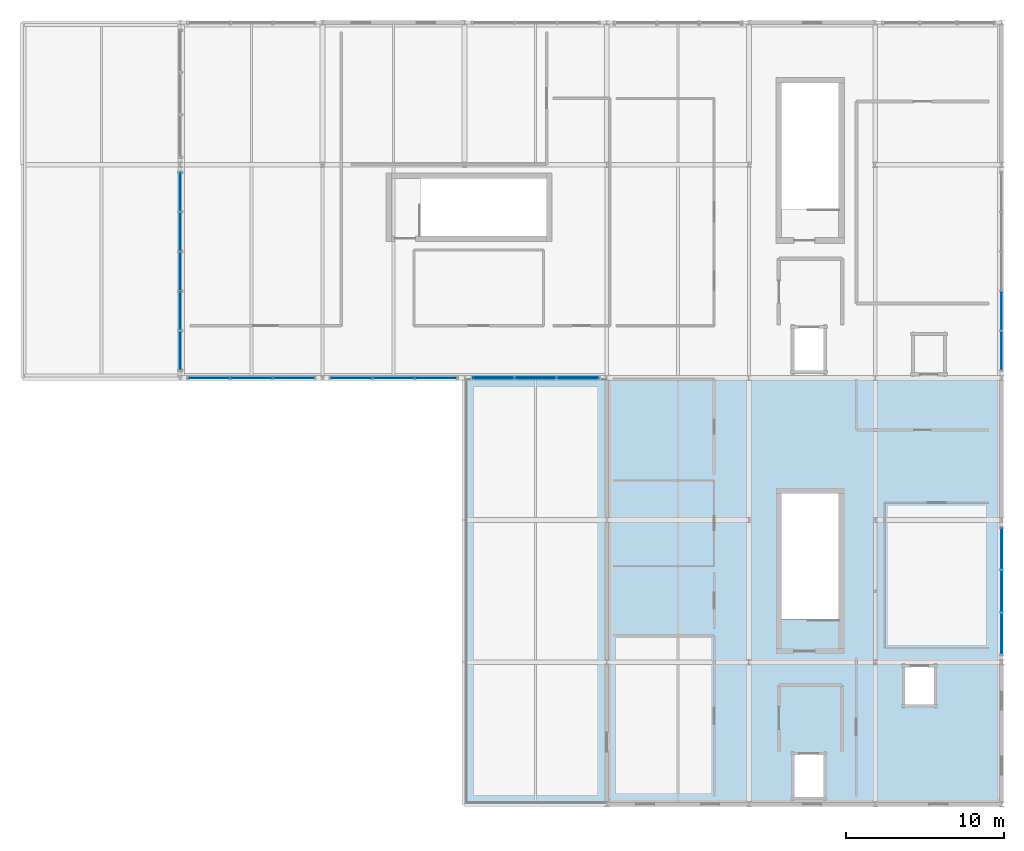
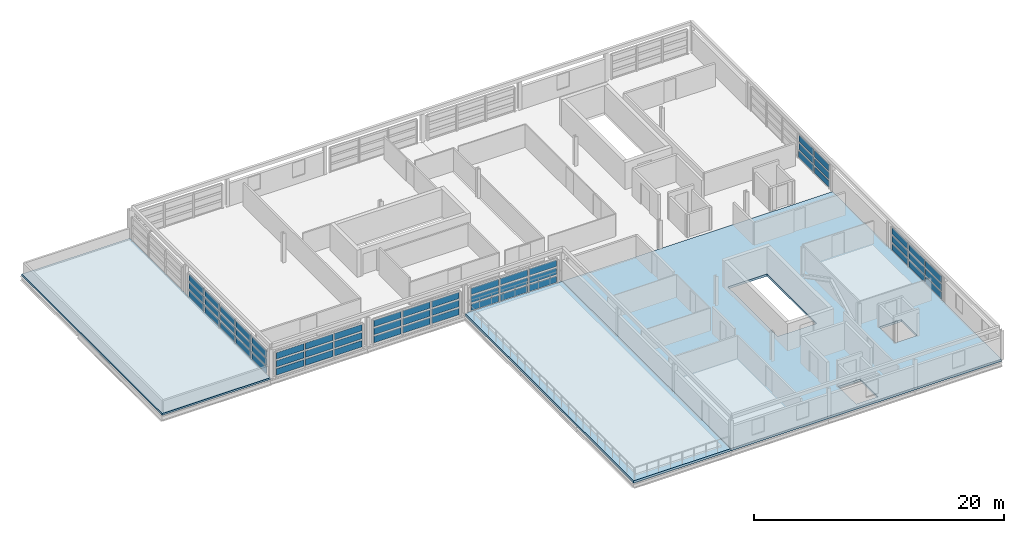
# One storey, part 22 of 27: 57 plates, 3 slabs, 6 elements without a shape of their own.
"""IFC4 building model written with IfcOpenShell, lengths in metres."""

from ifc_helpers import new_model, si_unit, direction, frame, origin, origin_2d, place, context, subcontext, project, spatial, polyline, rectangle, outline, extrude, material, layer, layer_set, type_object, element, aggregate, save


model = new_model("IFC4")

# Units and contexts
model_context = context("Model", 3, precision=1e-05, world=origin(), true_north=direction((0.0, 1.0)))
body_context = subcontext(model_context, "Body", "Model", "MODEL_VIEW")
ifc_project = project(units=[si_unit("LENGTHUNIT", "METRE"), si_unit("AREAUNIT", "SQUARE_METRE"), si_unit("VOLUMEUNIT", "CUBIC_METRE"), si_unit("PLANEANGLEUNIT", "RADIAN"), si_unit("MASSUNIT", "GRAM", prefix="KILO")], contexts=[model_context])

# Site, building, storey
site_placement = place(None, origin())
site = spatial("IfcSite", under=ifc_project, at=site_placement, CompositionType="ELEMENT")
building_placement = place(site_placement, origin())
building = spatial("IfcBuilding", under=site, at=building_placement, Name="Chuanluo Vaults Station", CompositionType="ELEMENT")
storey_placement = place(building_placement, frame((0.0, 0.0, 20.800048828125)))
storey = spatial("IfcBuildingStorey", under=building, at=storey_placement, Name="L05", CompositionType="ELEMENT", Elevation=20.800048828125)

# Curtain wall, plates
ifc_material_1 = material(Name="Anodised aluminium 6063-T6", Category="aluminium")
curtain_wall_type_1 = type_object("IfcCurtainWallType", Name="CW-SYS-23", PredefinedType="NOTDEFINED", material=ifc_material_1)
curtain_wall_1_placement = place(storey_placement, origin())
curtain_wall_1 = element("IfcCurtainWall", 1, at=curtain_wall_1_placement, inside=storey, type_object=curtain_wall_type_1, Name="Operations L05 facade CW", PredefinedType="NOTDEFINED")
ifc_material_2 = material(Name="Ceramic-fritted spandrel glass", Category="glass")
ifc_layer_1 = layer(ifc_material_2, 0.06396484375)
ifc_layer_set_1 = layer_set([ifc_layer_1], Name="Ceramic-fritted spandrel glass")
plate_type_1 = type_object("IfcPlateType", Name="CWP-SPN-42", PredefinedType="SHEET", material=ifc_layer_set_1)
plate_1_placement = place(storey_placement, frame((152.183349609375, 103.5, 0.080078125), z_axis=(0.0, 0.0, 1.0), x_axis=(-1.0, 0.0, 0.0)))
plate_1 = element("IfcPlate", 2, at=plate_1_placement, type_object=plate_type_1, Name="Operations L05 facade CW glazed panel 1.1", PredefinedType="SHEET", context=body_context, shape_type="SweptSolid", body=[
    extrude(rectangle(XDim=2.523193359375, YDim=0.06396484375, at=origin_2d()), origin(), (0.0, 0.0, 1.0), 0.623291015625),
])
plate_2_placement = place(storey_placement, frame((149.5, 103.5, 0.080078125), z_axis=(0.0, 0.0, 1.0), x_axis=(-1.0, 0.0, 0.0)))
plate_2 = element("IfcPlate", 3, at=plate_2_placement, type_object=plate_type_1, Name="Operations L05 facade CW glazed panel 2.1", PredefinedType="SHEET", context=body_context, shape_type="SweptSolid", body=[
    extrude(rectangle(XDim=2.523193359375, YDim=0.06396484375, at=origin_2d()), origin(), (0.0, 0.0, 1.0), 0.623291015625),
])
plate_3_placement = place(storey_placement, frame((146.816650390625, 103.5, 0.080078125), z_axis=(0.0, 0.0, 1.0), x_axis=(-1.0, 0.0, 0.0)))
plate_3 = element("IfcPlate", 4, at=plate_3_placement, type_object=plate_type_1, Name="Operations L05 facade CW glazed panel 3.1", PredefinedType="SHEET", context=body_context, shape_type="SweptSolid", body=[
    extrude(rectangle(XDim=2.523193359375, YDim=0.06396484375, at=origin_2d()), origin(), (0.0, 0.0, 1.0), 0.623291015625),
])

ifc_material_3 = material(Name="Anodised aluminium 6063-T6", Category="aluminium")
curtain_wall_type_2 = type_object("IfcCurtainWallType", Name="CW-SYS-25", PredefinedType="NOTDEFINED", material=ifc_material_3)
curtain_wall_2_placement = place(storey_placement, origin())
curtain_wall_2 = element("IfcCurtainWall", 5, at=curtain_wall_2_placement, inside=storey, type_object=curtain_wall_type_2, Name="Operations L05 facade CW", PredefinedType="NOTDEFINED")
plate_4_placement = place(storey_placement, frame((136.0, 105.22998046875, 0.080078125), z_axis=(0.0, 0.0, 1.0), x_axis=(0.0, 1.0, 0.0)))
plate_4 = element("IfcPlate", 6, at=plate_4_placement, type_object=plate_type_1, Name="Operations L05 facade CW glazed panel 1.1", PredefinedType="SHEET", context=body_context, shape_type="SweptSolid", body=[
    extrude(rectangle(XDim=2.35009765625, YDim=0.06396484375, at=origin_2d()), origin(), (0.0, 0.0, 1.0), 0.623291015625),
])
plate_5_placement = place(storey_placement, frame((136.0, 107.739990234375, 0.080078125), z_axis=(0.0, 0.0, 1.0), x_axis=(0.0, 1.0, 0.0)))
plate_5 = element("IfcPlate", 7, at=plate_5_placement, type_object=plate_type_1, Name="Operations L05 facade CW glazed panel 2.1", PredefinedType="SHEET", context=body_context, shape_type="SweptSolid", body=[
    extrude(rectangle(XDim=2.35009765625, YDim=0.06396484375, at=origin_2d()), origin(), (0.0, 0.0, 1.0), 0.623291015625),
])
plate_6_placement = place(storey_placement, frame((136.0, 110.25, 0.080078125), z_axis=(0.0, 0.0, 1.0), x_axis=(0.0, 1.0, 0.0)))
plate_6 = element("IfcPlate", 8, at=plate_6_placement, type_object=plate_type_1, Name="Operations L05 facade CW glazed panel 3.1", PredefinedType="SHEET", context=body_context, shape_type="SweptSolid", body=[
    extrude(rectangle(XDim=2.35009765625, YDim=0.06396484375, at=origin_2d()), origin(), (0.0, 0.0, 1.0), 0.623291015625),
])
plate_7_placement = place(storey_placement, frame((136.0, 112.760009765625, 0.080078125), z_axis=(0.0, 0.0, 1.0), x_axis=(0.0, 1.0, 0.0)))
plate_7 = element("IfcPlate", 9, at=plate_7_placement, type_object=plate_type_1, Name="Operations L05 facade CW glazed panel 4.1", PredefinedType="SHEET", context=body_context, shape_type="SweptSolid", body=[
    extrude(rectangle(XDim=2.35009765625, YDim=0.06396484375, at=origin_2d()), origin(), (0.0, 0.0, 1.0), 0.623291015625),
])
plate_8_placement = place(storey_placement, frame((136.0, 115.27001953125, 0.080078125), z_axis=(0.0, 0.0, 1.0), x_axis=(0.0, 1.0, 0.0)))
plate_8 = element("IfcPlate", 10, at=plate_8_placement, type_object=plate_type_1, Name="Operations L05 facade CW glazed panel 5.1", PredefinedType="SHEET", context=body_context, shape_type="SweptSolid", body=[
    extrude(rectangle(XDim=2.35009765625, YDim=0.06396484375, at=origin_2d()), origin(), (0.0, 0.0, 1.0), 0.623291015625),
])

ifc_material_4 = material(Name="Anodised aluminium 6063-T6", Category="aluminium")
curtain_wall_type_3 = type_object("IfcCurtainWallType", Name="CW-SYS-03", PredefinedType="NOTDEFINED", material=ifc_material_4)
curtain_wall_3_placement = place(storey_placement, origin())
curtain_wall_3 = element("IfcCurtainWall", 11, at=curtain_wall_3_placement, inside=storey, type_object=curtain_wall_type_3, Name="Operations L05 facade CW", PredefinedType="NOTDEFINED")
plate_9_placement = place(storey_placement, frame((188.0, 92.683349609375, 0.080078125), z_axis=(0.0, 0.0, 1.0), x_axis=(0.0, -1.0, 0.0)))
plate_9 = element("IfcPlate", 12, at=plate_9_placement, type_object=plate_type_1, Name="Operations L05 facade CW glazed panel 1.1", PredefinedType="SHEET", context=body_context, shape_type="SweptSolid", body=[
    extrude(rectangle(XDim=2.523193359375, YDim=0.06396484375, at=origin_2d()), origin(), (0.0, 0.0, 1.0), 0.623291015625),
])
plate_10_placement = place(storey_placement, frame((188.0, 90.0, 0.080078125), z_axis=(0.0, 0.0, 1.0), x_axis=(0.0, -1.0, 0.0)))
plate_10 = element("IfcPlate", 13, at=plate_10_placement, type_object=plate_type_1, Name="Operations L05 facade CW glazed panel 2.1", PredefinedType="SHEET", context=body_context, shape_type="SweptSolid", body=[
    extrude(rectangle(XDim=2.523193359375, YDim=0.06396484375, at=origin_2d()), origin(), (0.0, 0.0, 1.0), 0.623291015625),
])
plate_11_placement = place(storey_placement, frame((188.0, 87.316650390625, 0.080078125), z_axis=(0.0, 0.0, 1.0), x_axis=(0.0, -1.0, 0.0)))
plate_11 = element("IfcPlate", 14, at=plate_11_placement, type_object=plate_type_1, Name="Operations L05 facade CW glazed panel 3.1", PredefinedType="SHEET", context=body_context, shape_type="SweptSolid", body=[
    extrude(rectangle(XDim=2.523193359375, YDim=0.06396484375, at=origin_2d()), origin(), (0.0, 0.0, 1.0), 0.623291015625),
])

ifc_material_5 = material(Name="Anodised aluminium 6063-T6", Category="aluminium")
curtain_wall_type_4 = type_object("IfcCurtainWallType", Name="CW-SYS-22", PredefinedType="NOTDEFINED", material=ifc_material_5)
curtain_wall_4_placement = place(storey_placement, origin())
curtain_wall_4 = element("IfcCurtainWall", 15, at=curtain_wall_4_placement, inside=storey, type_object=curtain_wall_type_4, Name="Operations L05 facade CW", PredefinedType="NOTDEFINED")
ifc_material_6 = material(Name="Ceramic-fritted spandrel glass", Category="glass")
ifc_layer_2 = layer(ifc_material_6, 0.070068359375)
ifc_layer_set_2 = layer_set([ifc_layer_2], Name="Ceramic-fritted spandrel glass")
plate_type_2 = type_object("IfcPlateType", Name="CWP-SPN-50", PredefinedType="SHEET", material=ifc_layer_set_2)
plate_12_placement = place(storey_placement, frame((161.183349609375, 103.5, 0.080078125), z_axis=(0.0, 0.0, 1.0), x_axis=(-1.0, 0.0, 0.0)))
plate_12 = element("IfcPlate", 16, at=plate_12_placement, type_object=plate_type_2, Name="Operations L05 facade CW glazed panel 1.1", PredefinedType="SHEET", context=body_context, shape_type="SweptSolid", body=[
    extrude(rectangle(XDim=2.523193359375, YDim=0.070068359375, at=origin_2d()), origin(), (0.0, 0.0, 1.0), 0.623291015625),
])
plate_13_placement = place(storey_placement, frame((158.5, 103.5, 0.080078125), z_axis=(0.0, 0.0, 1.0), x_axis=(-1.0, 0.0, 0.0)))
plate_13 = element("IfcPlate", 17, at=plate_13_placement, type_object=plate_type_2, Name="Operations L05 facade CW glazed panel 2.1", PredefinedType="SHEET", context=body_context, shape_type="SweptSolid", body=[
    extrude(rectangle(XDim=2.523193359375, YDim=0.070068359375, at=origin_2d()), origin(), (0.0, 0.0, 1.0), 0.623291015625),
])
plate_14_placement = place(storey_placement, frame((155.816650390625, 103.5, 0.080078125), z_axis=(0.0, 0.0, 1.0), x_axis=(-1.0, 0.0, 0.0)))
plate_14 = element("IfcPlate", 18, at=plate_14_placement, type_object=plate_type_2, Name="Operations L05 facade CW glazed panel 3.1", PredefinedType="SHEET", context=body_context, shape_type="SweptSolid", body=[
    extrude(rectangle(XDim=2.523193359375, YDim=0.070068359375, at=origin_2d()), origin(), (0.0, 0.0, 1.0), 0.623291015625),
])

ifc_material_7 = material(Name="Anodised aluminium 6063-T6", Category="aluminium")
curtain_wall_type_5 = type_object("IfcCurtainWallType", Name="CW-SYS-24", PredefinedType="NOTDEFINED", material=ifc_material_7)
curtain_wall_5_placement = place(storey_placement, origin())
curtain_wall_5 = element("IfcCurtainWall", 19, at=curtain_wall_5_placement, inside=storey, type_object=curtain_wall_type_5, Name="Operations L05 facade CW", PredefinedType="NOTDEFINED")
plate_15_placement = place(storey_placement, frame((143.183349609375, 103.5, 0.080078125), z_axis=(0.0, 0.0, 1.0), x_axis=(-1.0, 0.0, 0.0)))
plate_15 = element("IfcPlate", 20, at=plate_15_placement, type_object=plate_type_2, Name="Operations L05 facade CW glazed panel 1.1", PredefinedType="SHEET", context=body_context, shape_type="SweptSolid", body=[
    extrude(rectangle(XDim=2.523193359375, YDim=0.070068359375, at=origin_2d()), origin(), (0.0, 0.0, 1.0), 0.623291015625),
])
plate_16_placement = place(storey_placement, frame((140.5, 103.5, 0.080078125), z_axis=(0.0, 0.0, 1.0), x_axis=(-1.0, 0.0, 0.0)))
plate_16 = element("IfcPlate", 21, at=plate_16_placement, type_object=plate_type_2, Name="Operations L05 facade CW glazed panel 2.1", PredefinedType="SHEET", context=body_context, shape_type="SweptSolid", body=[
    extrude(rectangle(XDim=2.523193359375, YDim=0.070068359375, at=origin_2d()), origin(), (0.0, 0.0, 1.0), 0.623291015625),
])
plate_17_placement = place(storey_placement, frame((137.816650390625, 103.5, 0.080078125), z_axis=(0.0, 0.0, 1.0), x_axis=(-1.0, 0.0, 0.0)))
plate_17 = element("IfcPlate", 22, at=plate_17_placement, type_object=plate_type_2, Name="Operations L05 facade CW glazed panel 3.1", PredefinedType="SHEET", context=body_context, shape_type="SweptSolid", body=[
    extrude(rectangle(XDim=2.523193359375, YDim=0.070068359375, at=origin_2d()), origin(), (0.0, 0.0, 1.0), 0.623291015625),
])

ifc_material_8 = material(Name="Anodised aluminium 6063-T6", Category="aluminium")
curtain_wall_type_6 = type_object("IfcCurtainWallType", Name="CW-SYS-04", PredefinedType="NOTDEFINED", material=ifc_material_8)
curtain_wall_6_placement = place(storey_placement, origin())
curtain_wall_6 = element("IfcCurtainWall", 23, at=curtain_wall_6_placement, inside=storey, type_object=curtain_wall_type_6, Name="Operations L05 facade CW", PredefinedType="NOTDEFINED")
plate_18_placement = place(storey_placement, frame((188.0, 107.739990234375, 0.080078125), z_axis=(0.0, 0.0, 1.0), x_axis=(0.0, -1.0, 0.0)))
plate_18 = element("IfcPlate", 24, at=plate_18_placement, type_object=plate_type_2, Name="Operations L05 facade CW glazed panel 4.1", PredefinedType="SHEET", context=body_context, shape_type="SweptSolid", body=[
    extrude(rectangle(XDim=2.35009765625, YDim=0.070068359375, at=origin_2d()), origin(), (0.0, 0.0, 1.0), 0.623291015625),
])
plate_19_placement = place(storey_placement, frame((188.0, 105.22998046875, 0.080078125), z_axis=(0.0, 0.0, 1.0), x_axis=(0.0, -1.0, 0.0)))
plate_19 = element("IfcPlate", 25, at=plate_19_placement, type_object=plate_type_2, Name="Operations L05 facade CW glazed panel 5.1", PredefinedType="SHEET", context=body_context, shape_type="SweptSolid", body=[
    extrude(rectangle(XDim=2.35009765625, YDim=0.070068359375, at=origin_2d()), origin(), (0.0, 0.0, 1.0), 0.623291015625),
])

# Plate
ifc_material_9 = material(Name="Double-silver Low-E laminated glass", Category="glass")
ifc_layer_3 = layer(ifc_material_9, 0.0439453125)
ifc_layer_set_3 = layer_set([ifc_layer_3], Name="Double-silver Low-E laminated glass")
plate_type_3 = type_object("IfcPlateType", Name="CWP-VIS-28", PredefinedType="CURTAIN_PANEL", material=ifc_layer_set_3)
plate_20_placement = place(storey_placement, frame((143.183349609375, 103.5, 0.86328125), z_axis=(0.0, 0.0, 1.0), x_axis=(-1.0, 0.0, 0.0)))
plate_20 = element("IfcPlate", 26, at=plate_20_placement, type_object=plate_type_3, Name="Operations L05 facade CW glazed panel 1.2", PredefinedType="CURTAIN_PANEL", context=body_context, shape_type="SweptSolid", body=[
    extrude(rectangle(XDim=2.523193359375, YDim=0.0439453125, at=origin_2d()), origin(), (0.0, 0.0, 1.0), 0.623291015625),
])

plate_21_placement = place(storey_placement, frame((143.183349609375, 103.5, 1.646484375), z_axis=(0.0, 0.0, 1.0), x_axis=(-1.0, 0.0, 0.0)))
plate_21 = element("IfcPlate", 27, at=plate_21_placement, type_object=plate_type_3, Name="Operations L05 facade CW glazed panel 1.3", PredefinedType="CURTAIN_PANEL", context=body_context, shape_type="SweptSolid", body=[
    extrude(rectangle(XDim=2.523193359375, YDim=0.0439453125, at=origin_2d()), origin(), (0.0, 0.0, 1.0), 0.623291015625),
])

plate_22_placement = place(storey_placement, frame((140.5, 103.5, 0.86328125), z_axis=(0.0, 0.0, 1.0), x_axis=(-1.0, 0.0, 0.0)))
plate_22 = element("IfcPlate", 28, at=plate_22_placement, type_object=plate_type_3, Name="Operations L05 facade CW glazed panel 2.2", PredefinedType="CURTAIN_PANEL", context=body_context, shape_type="SweptSolid", body=[
    extrude(rectangle(XDim=2.523193359375, YDim=0.0439453125, at=origin_2d()), origin(), (0.0, 0.0, 1.0), 0.623291015625),
])

plate_23_placement = place(storey_placement, frame((140.5, 103.5, 1.646484375), z_axis=(0.0, 0.0, 1.0), x_axis=(-1.0, 0.0, 0.0)))
plate_23 = element("IfcPlate", 29, at=plate_23_placement, type_object=plate_type_3, Name="Operations L05 facade CW glazed panel 2.3", PredefinedType="CURTAIN_PANEL", context=body_context, shape_type="SweptSolid", body=[
    extrude(rectangle(XDim=2.523193359375, YDim=0.0439453125, at=origin_2d()), origin(), (0.0, 0.0, 1.0), 0.623291015625),
])

plate_24_placement = place(storey_placement, frame((137.816650390625, 103.5, 0.86328125), z_axis=(0.0, 0.0, 1.0), x_axis=(-1.0, 0.0, 0.0)))
plate_24 = element("IfcPlate", 30, at=plate_24_placement, type_object=plate_type_3, Name="Operations L05 facade CW glazed panel 3.2", PredefinedType="CURTAIN_PANEL", context=body_context, shape_type="SweptSolid", body=[
    extrude(rectangle(XDim=2.523193359375, YDim=0.0439453125, at=origin_2d()), origin(), (0.0, 0.0, 1.0), 0.623291015625),
])

plate_25_placement = place(storey_placement, frame((137.816650390625, 103.5, 1.646484375), z_axis=(0.0, 0.0, 1.0), x_axis=(-1.0, 0.0, 0.0)))
plate_25 = element("IfcPlate", 31, at=plate_25_placement, type_object=plate_type_3, Name="Operations L05 facade CW glazed panel 3.3", PredefinedType="CURTAIN_PANEL", context=body_context, shape_type="SweptSolid", body=[
    extrude(rectangle(XDim=2.523193359375, YDim=0.0439453125, at=origin_2d()), origin(), (0.0, 0.0, 1.0), 0.623291015625),
])

aggregate(curtain_wall_5, [plate_15, plate_20, plate_21, plate_16, plate_22, plate_23, plate_17, plate_24, plate_25])

plate_26_placement = place(storey_placement, frame((188.0, 107.739990234375, 0.86328125), z_axis=(0.0, 0.0, 1.0), x_axis=(0.0, -1.0, 0.0)))
plate_26 = element("IfcPlate", 32, at=plate_26_placement, type_object=plate_type_3, Name="Operations L05 facade CW glazed panel 4.2", PredefinedType="CURTAIN_PANEL", context=body_context, shape_type="SweptSolid", body=[
    extrude(rectangle(XDim=2.35009765625, YDim=0.0439453125, at=origin_2d()), origin(), (0.0, 0.0, 1.0), 0.623291015625),
])

plate_27_placement = place(storey_placement, frame((188.0, 107.739990234375, 1.646484375), z_axis=(0.0, 0.0, 1.0), x_axis=(0.0, -1.0, 0.0)))
plate_27 = element("IfcPlate", 33, at=plate_27_placement, type_object=plate_type_3, Name="Operations L05 facade CW glazed panel 4.3", PredefinedType="CURTAIN_PANEL", context=body_context, shape_type="SweptSolid", body=[
    extrude(rectangle(XDim=2.35009765625, YDim=0.0439453125, at=origin_2d()), origin(), (0.0, 0.0, 1.0), 0.623291015625),
])

plate_28_placement = place(storey_placement, frame((188.0, 105.22998046875, 0.86328125), z_axis=(0.0, 0.0, 1.0), x_axis=(0.0, -1.0, 0.0)))
plate_28 = element("IfcPlate", 34, at=plate_28_placement, type_object=plate_type_3, Name="Operations L05 facade CW glazed panel 5.2", PredefinedType="CURTAIN_PANEL", context=body_context, shape_type="SweptSolid", body=[
    extrude(rectangle(XDim=2.35009765625, YDim=0.0439453125, at=origin_2d()), origin(), (0.0, 0.0, 1.0), 0.623291015625),
])

plate_29_placement = place(storey_placement, frame((188.0, 105.22998046875, 1.646484375), z_axis=(0.0, 0.0, 1.0), x_axis=(0.0, -1.0, 0.0)))
plate_29 = element("IfcPlate", 35, at=plate_29_placement, type_object=plate_type_3, Name="Operations L05 facade CW glazed panel 5.3", PredefinedType="CURTAIN_PANEL", context=body_context, shape_type="SweptSolid", body=[
    extrude(rectangle(XDim=2.35009765625, YDim=0.0439453125, at=origin_2d()), origin(), (0.0, 0.0, 1.0), 0.623291015625),
])

aggregate(curtain_wall_6, [plate_18, plate_26, plate_27, plate_19, plate_28, plate_29])

ifc_material_10 = material(Name="Double-silver Low-E laminated glass", Category="glass")
ifc_layer_4 = layer(ifc_material_10, 0.048095703125)
ifc_layer_set_4 = layer_set([ifc_layer_4], Name="Double-silver Low-E laminated glass")
plate_type_4 = type_object("IfcPlateType", Name="CWP-VIS-32", PredefinedType="CURTAIN_PANEL", material=ifc_layer_set_4)
plate_30_placement = place(storey_placement, frame((152.183349609375, 103.5, 0.86328125), z_axis=(0.0, 0.0, 1.0), x_axis=(-1.0, 0.0, 0.0)))
plate_30 = element("IfcPlate", 36, at=plate_30_placement, type_object=plate_type_4, Name="Operations L05 facade CW glazed panel 1.2", PredefinedType="CURTAIN_PANEL", context=body_context, shape_type="SweptSolid", body=[
    extrude(rectangle(XDim=2.523193359375, YDim=0.048095703125, at=origin_2d()), origin(), (0.0, 0.0, 1.0), 0.623291015625),
])

plate_31_placement = place(storey_placement, frame((152.183349609375, 103.5, 1.646484375), z_axis=(0.0, 0.0, 1.0), x_axis=(-1.0, 0.0, 0.0)))
plate_31 = element("IfcPlate", 37, at=plate_31_placement, type_object=plate_type_4, Name="Operations L05 facade CW glazed panel 1.3", PredefinedType="CURTAIN_PANEL", context=body_context, shape_type="SweptSolid", body=[
    extrude(rectangle(XDim=2.523193359375, YDim=0.048095703125, at=origin_2d()), origin(), (0.0, 0.0, 1.0), 0.623291015625),
])

plate_32_placement = place(storey_placement, frame((149.5, 103.5, 0.86328125), z_axis=(0.0, 0.0, 1.0), x_axis=(-1.0, 0.0, 0.0)))
plate_32 = element("IfcPlate", 38, at=plate_32_placement, type_object=plate_type_4, Name="Operations L05 facade CW glazed panel 2.2", PredefinedType="CURTAIN_PANEL", context=body_context, shape_type="SweptSolid", body=[
    extrude(rectangle(XDim=2.523193359375, YDim=0.048095703125, at=origin_2d()), origin(), (0.0, 0.0, 1.0), 0.623291015625),
])

plate_33_placement = place(storey_placement, frame((149.5, 103.5, 1.646484375), z_axis=(0.0, 0.0, 1.0), x_axis=(-1.0, 0.0, 0.0)))
plate_33 = element("IfcPlate", 39, at=plate_33_placement, type_object=plate_type_4, Name="Operations L05 facade CW glazed panel 2.3", PredefinedType="CURTAIN_PANEL", context=body_context, shape_type="SweptSolid", body=[
    extrude(rectangle(XDim=2.523193359375, YDim=0.048095703125, at=origin_2d()), origin(), (0.0, 0.0, 1.0), 0.623291015625),
])

plate_34_placement = place(storey_placement, frame((146.816650390625, 103.5, 0.86328125), z_axis=(0.0, 0.0, 1.0), x_axis=(-1.0, 0.0, 0.0)))
plate_34 = element("IfcPlate", 40, at=plate_34_placement, type_object=plate_type_4, Name="Operations L05 facade CW glazed panel 3.2", PredefinedType="CURTAIN_PANEL", context=body_context, shape_type="SweptSolid", body=[
    extrude(rectangle(XDim=2.523193359375, YDim=0.048095703125, at=origin_2d()), origin(), (0.0, 0.0, 1.0), 0.623291015625),
])

plate_35_placement = place(storey_placement, frame((146.816650390625, 103.5, 1.646484375), z_axis=(0.0, 0.0, 1.0), x_axis=(-1.0, 0.0, 0.0)))
plate_35 = element("IfcPlate", 41, at=plate_35_placement, type_object=plate_type_4, Name="Operations L05 facade CW glazed panel 3.3", PredefinedType="CURTAIN_PANEL", context=body_context, shape_type="SweptSolid", body=[
    extrude(rectangle(XDim=2.523193359375, YDim=0.048095703125, at=origin_2d()), origin(), (0.0, 0.0, 1.0), 0.623291015625),
])

aggregate(curtain_wall_1, [plate_1, plate_30, plate_31, plate_2, plate_32, plate_33, plate_3, plate_34, plate_35])

plate_36_placement = place(storey_placement, frame((188.0, 92.683349609375, 0.86328125), z_axis=(0.0, 0.0, 1.0), x_axis=(0.0, -1.0, 0.0)))
plate_36 = element("IfcPlate", 42, at=plate_36_placement, type_object=plate_type_4, Name="Operations L05 facade CW glazed panel 1.2", PredefinedType="CURTAIN_PANEL", context=body_context, shape_type="SweptSolid", body=[
    extrude(rectangle(XDim=2.523193359375, YDim=0.048095703125, at=origin_2d()), origin(), (0.0, 0.0, 1.0), 0.623291015625),
])

plate_37_placement = place(storey_placement, frame((188.0, 92.683349609375, 1.646484375), z_axis=(0.0, 0.0, 1.0), x_axis=(0.0, -1.0, 0.0)))
plate_37 = element("IfcPlate", 43, at=plate_37_placement, type_object=plate_type_4, Name="Operations L05 facade CW glazed panel 1.3", PredefinedType="CURTAIN_PANEL", context=body_context, shape_type="SweptSolid", body=[
    extrude(rectangle(XDim=2.523193359375, YDim=0.048095703125, at=origin_2d()), origin(), (0.0, 0.0, 1.0), 0.623291015625),
])

plate_38_placement = place(storey_placement, frame((188.0, 90.0, 0.86328125), z_axis=(0.0, 0.0, 1.0), x_axis=(0.0, -1.0, 0.0)))
plate_38 = element("IfcPlate", 44, at=plate_38_placement, type_object=plate_type_4, Name="Operations L05 facade CW glazed panel 2.2", PredefinedType="CURTAIN_PANEL", context=body_context, shape_type="SweptSolid", body=[
    extrude(rectangle(XDim=2.523193359375, YDim=0.048095703125, at=origin_2d()), origin(), (0.0, 0.0, 1.0), 0.623291015625),
])

plate_39_placement = place(storey_placement, frame((188.0, 90.0, 1.646484375), z_axis=(0.0, 0.0, 1.0), x_axis=(0.0, -1.0, 0.0)))
plate_39 = element("IfcPlate", 45, at=plate_39_placement, type_object=plate_type_4, Name="Operations L05 facade CW glazed panel 2.3", PredefinedType="CURTAIN_PANEL", context=body_context, shape_type="SweptSolid", body=[
    extrude(rectangle(XDim=2.523193359375, YDim=0.048095703125, at=origin_2d()), origin(), (0.0, 0.0, 1.0), 0.623291015625),
])

plate_40_placement = place(storey_placement, frame((188.0, 87.316650390625, 0.86328125), z_axis=(0.0, 0.0, 1.0), x_axis=(0.0, -1.0, 0.0)))
plate_40 = element("IfcPlate", 46, at=plate_40_placement, type_object=plate_type_4, Name="Operations L05 facade CW glazed panel 3.2", PredefinedType="CURTAIN_PANEL", context=body_context, shape_type="SweptSolid", body=[
    extrude(rectangle(XDim=2.523193359375, YDim=0.048095703125, at=origin_2d()), origin(), (0.0, 0.0, 1.0), 0.623291015625),
])

plate_41_placement = place(storey_placement, frame((188.0, 87.316650390625, 1.646484375), z_axis=(0.0, 0.0, 1.0), x_axis=(0.0, -1.0, 0.0)))
plate_41 = element("IfcPlate", 47, at=plate_41_placement, type_object=plate_type_4, Name="Operations L05 facade CW glazed panel 3.3", PredefinedType="CURTAIN_PANEL", context=body_context, shape_type="SweptSolid", body=[
    extrude(rectangle(XDim=2.523193359375, YDim=0.048095703125, at=origin_2d()), origin(), (0.0, 0.0, 1.0), 0.623291015625),
])

aggregate(curtain_wall_3, [plate_9, plate_36, plate_37, plate_10, plate_38, plate_39, plate_11, plate_40, plate_41])

ifc_material_11 = material(Name="Double-silver Low-E laminated glass", Category="glass")
ifc_layer_5 = layer(ifc_material_11, 0.053955078125)
ifc_layer_set_5 = layer_set([ifc_layer_5], Name="Double-silver Low-E laminated glass")
plate_type_5 = type_object("IfcPlateType", Name="CWP-VIS-36", PredefinedType="CURTAIN_PANEL", material=ifc_layer_set_5)
plate_42_placement = place(storey_placement, frame((161.183349609375, 103.5, 0.86328125), z_axis=(0.0, 0.0, 1.0), x_axis=(-1.0, 0.0, 0.0)))
plate_42 = element("IfcPlate", 48, at=plate_42_placement, type_object=plate_type_5, Name="Operations L05 facade CW glazed panel 1.2", PredefinedType="CURTAIN_PANEL", context=body_context, shape_type="SweptSolid", body=[
    extrude(rectangle(XDim=2.523193359375, YDim=0.053955078125, at=origin_2d()), origin(), (0.0, 0.0, 1.0), 0.623291015625),
])

plate_43_placement = place(storey_placement, frame((161.183349609375, 103.5, 1.646484375), z_axis=(0.0, 0.0, 1.0), x_axis=(-1.0, 0.0, 0.0)))
plate_43 = element("IfcPlate", 49, at=plate_43_placement, type_object=plate_type_5, Name="Operations L05 facade CW glazed panel 1.3", PredefinedType="CURTAIN_PANEL", context=body_context, shape_type="SweptSolid", body=[
    extrude(rectangle(XDim=2.523193359375, YDim=0.053955078125, at=origin_2d()), origin(), (0.0, 0.0, 1.0), 0.623291015625),
])

plate_44_placement = place(storey_placement, frame((158.5, 103.5, 0.86328125), z_axis=(0.0, 0.0, 1.0), x_axis=(-1.0, 0.0, 0.0)))
plate_44 = element("IfcPlate", 50, at=plate_44_placement, type_object=plate_type_5, Name="Operations L05 facade CW glazed panel 2.2", PredefinedType="CURTAIN_PANEL", context=body_context, shape_type="SweptSolid", body=[
    extrude(rectangle(XDim=2.523193359375, YDim=0.053955078125, at=origin_2d()), origin(), (0.0, 0.0, 1.0), 0.623291015625),
])

plate_45_placement = place(storey_placement, frame((158.5, 103.5, 1.646484375), z_axis=(0.0, 0.0, 1.0), x_axis=(-1.0, 0.0, 0.0)))
plate_45 = element("IfcPlate", 51, at=plate_45_placement, type_object=plate_type_5, Name="Operations L05 facade CW glazed panel 2.3", PredefinedType="CURTAIN_PANEL", context=body_context, shape_type="SweptSolid", body=[
    extrude(rectangle(XDim=2.523193359375, YDim=0.053955078125, at=origin_2d()), origin(), (0.0, 0.0, 1.0), 0.623291015625),
])

plate_46_placement = place(storey_placement, frame((155.816650390625, 103.5, 0.86328125), z_axis=(0.0, 0.0, 1.0), x_axis=(-1.0, 0.0, 0.0)))
plate_46 = element("IfcPlate", 52, at=plate_46_placement, type_object=plate_type_5, Name="Operations L05 facade CW glazed panel 3.2", PredefinedType="CURTAIN_PANEL", context=body_context, shape_type="SweptSolid", body=[
    extrude(rectangle(XDim=2.523193359375, YDim=0.053955078125, at=origin_2d()), origin(), (0.0, 0.0, 1.0), 0.623291015625),
])

plate_47_placement = place(storey_placement, frame((155.816650390625, 103.5, 1.646484375), z_axis=(0.0, 0.0, 1.0), x_axis=(-1.0, 0.0, 0.0)))
plate_47 = element("IfcPlate", 53, at=plate_47_placement, type_object=plate_type_5, Name="Operations L05 facade CW glazed panel 3.3", PredefinedType="CURTAIN_PANEL", context=body_context, shape_type="SweptSolid", body=[
    extrude(rectangle(XDim=2.523193359375, YDim=0.053955078125, at=origin_2d()), origin(), (0.0, 0.0, 1.0), 0.623291015625),
])

aggregate(curtain_wall_4, [plate_12, plate_42, plate_43, plate_13, plate_44, plate_45, plate_14, plate_46, plate_47])

ifc_material_12 = material(Name="Double-silver Low-E laminated glass", Category="glass")
ifc_layer_6 = layer(ifc_material_12, 0.05810546875)
ifc_layer_set_6 = layer_set([ifc_layer_6], Name="Double-silver Low-E laminated glass")
plate_type_6 = type_object("IfcPlateType", Name="CWP-VIS-38", PredefinedType="CURTAIN_PANEL", material=ifc_layer_set_6)
plate_48_placement = place(storey_placement, frame((136.0, 105.22998046875, 0.86328125), z_axis=(0.0, 0.0, 1.0), x_axis=(0.0, 1.0, 0.0)))
plate_48 = element("IfcPlate", 54, at=plate_48_placement, type_object=plate_type_6, Name="Operations L05 facade CW glazed panel 1.2", PredefinedType="CURTAIN_PANEL", context=body_context, shape_type="SweptSolid", body=[
    extrude(rectangle(XDim=2.35009765625, YDim=0.05810546875, at=origin_2d()), origin(), (0.0, 0.0, 1.0), 0.623291015625),
])

plate_49_placement = place(storey_placement, frame((136.0, 105.22998046875, 1.646484375), z_axis=(0.0, 0.0, 1.0), x_axis=(0.0, 1.0, 0.0)))
plate_49 = element("IfcPlate", 55, at=plate_49_placement, type_object=plate_type_6, Name="Operations L05 facade CW glazed panel 1.3", PredefinedType="CURTAIN_PANEL", context=body_context, shape_type="SweptSolid", body=[
    extrude(rectangle(XDim=2.35009765625, YDim=0.05810546875, at=origin_2d()), origin(), (0.0, 0.0, 1.0), 0.623291015625),
])

plate_50_placement = place(storey_placement, frame((136.0, 107.739990234375, 0.86328125), z_axis=(0.0, 0.0, 1.0), x_axis=(0.0, 1.0, 0.0)))
plate_50 = element("IfcPlate", 56, at=plate_50_placement, type_object=plate_type_6, Name="Operations L05 facade CW glazed panel 2.2", PredefinedType="CURTAIN_PANEL", context=body_context, shape_type="SweptSolid", body=[
    extrude(rectangle(XDim=2.35009765625, YDim=0.05810546875, at=origin_2d()), origin(), (0.0, 0.0, 1.0), 0.623291015625),
])

plate_51_placement = place(storey_placement, frame((136.0, 107.739990234375, 1.646484375), z_axis=(0.0, 0.0, 1.0), x_axis=(0.0, 1.0, 0.0)))
plate_51 = element("IfcPlate", 57, at=plate_51_placement, type_object=plate_type_6, Name="Operations L05 facade CW glazed panel 2.3", PredefinedType="CURTAIN_PANEL", context=body_context, shape_type="SweptSolid", body=[
    extrude(rectangle(XDim=2.35009765625, YDim=0.05810546875, at=origin_2d()), origin(), (0.0, 0.0, 1.0), 0.623291015625),
])

plate_52_placement = place(storey_placement, frame((136.0, 110.25, 0.86328125), z_axis=(0.0, 0.0, 1.0), x_axis=(0.0, 1.0, 0.0)))
plate_52 = element("IfcPlate", 58, at=plate_52_placement, type_object=plate_type_6, Name="Operations L05 facade CW glazed panel 3.2", PredefinedType="CURTAIN_PANEL", context=body_context, shape_type="SweptSolid", body=[
    extrude(rectangle(XDim=2.35009765625, YDim=0.05810546875, at=origin_2d()), origin(), (0.0, 0.0, 1.0), 0.623291015625),
])

plate_53_placement = place(storey_placement, frame((136.0, 110.25, 1.646484375), z_axis=(0.0, 0.0, 1.0), x_axis=(0.0, 1.0, 0.0)))
plate_53 = element("IfcPlate", 59, at=plate_53_placement, type_object=plate_type_6, Name="Operations L05 facade CW glazed panel 3.3", PredefinedType="CURTAIN_PANEL", context=body_context, shape_type="SweptSolid", body=[
    extrude(rectangle(XDim=2.35009765625, YDim=0.05810546875, at=origin_2d()), origin(), (0.0, 0.0, 1.0), 0.623291015625),
])

plate_54_placement = place(storey_placement, frame((136.0, 112.760009765625, 0.86328125), z_axis=(0.0, 0.0, 1.0), x_axis=(0.0, 1.0, 0.0)))
plate_54 = element("IfcPlate", 60, at=plate_54_placement, type_object=plate_type_6, Name="Operations L05 facade CW glazed panel 4.2", PredefinedType="CURTAIN_PANEL", context=body_context, shape_type="SweptSolid", body=[
    extrude(rectangle(XDim=2.35009765625, YDim=0.05810546875, at=origin_2d()), origin(), (0.0, 0.0, 1.0), 0.623291015625),
])

plate_55_placement = place(storey_placement, frame((136.0, 112.760009765625, 1.646484375), z_axis=(0.0, 0.0, 1.0), x_axis=(0.0, 1.0, 0.0)))
plate_55 = element("IfcPlate", 61, at=plate_55_placement, type_object=plate_type_6, Name="Operations L05 facade CW glazed panel 4.3", PredefinedType="CURTAIN_PANEL", context=body_context, shape_type="SweptSolid", body=[
    extrude(rectangle(XDim=2.35009765625, YDim=0.05810546875, at=origin_2d()), origin(), (0.0, 0.0, 1.0), 0.623291015625),
])

plate_56_placement = place(storey_placement, frame((136.0, 115.27001953125, 0.86328125), z_axis=(0.0, 0.0, 1.0), x_axis=(0.0, 1.0, 0.0)))
plate_56 = element("IfcPlate", 62, at=plate_56_placement, type_object=plate_type_6, Name="Operations L05 facade CW glazed panel 5.2", PredefinedType="CURTAIN_PANEL", context=body_context, shape_type="SweptSolid", body=[
    extrude(rectangle(XDim=2.35009765625, YDim=0.05810546875, at=origin_2d()), origin(), (0.0, 0.0, 1.0), 0.623291015625),
])

plate_57_placement = place(storey_placement, frame((136.0, 115.27001953125, 1.646484375), z_axis=(0.0, 0.0, 1.0), x_axis=(0.0, 1.0, 0.0)))
plate_57 = element("IfcPlate", 63, at=plate_57_placement, type_object=plate_type_6, Name="Operations L05 facade CW glazed panel 5.3", PredefinedType="CURTAIN_PANEL", context=body_context, shape_type="SweptSolid", body=[
    extrude(rectangle(XDim=2.35009765625, YDim=0.05810546875, at=origin_2d()), origin(), (0.0, 0.0, 1.0), 0.623291015625),
])

aggregate(curtain_wall_2, [plate_4, plate_48, plate_49, plate_5, plate_50, plate_51, plate_6, plate_52, plate_53, plate_7, plate_54, plate_55, plate_8, plate_56, plate_57])

# Slabs
ifc_material_13 = material(Name="Concrete C40", Category="concrete")
ifc_layer_7 = layer(ifc_material_13, 0.219970703125)
ifc_layer_set_7 = layer_set([ifc_layer_7], Name="Concrete C40")
slab_type_1 = type_object("IfcSlabType", Name="SLB-OPS-220", PredefinedType="FLOOR", material=ifc_layer_set_7)
slab_1_placement = place(storey_placement, frame((0.0, 0.0, -0.219970703125)))
element("IfcSlab", 64, at=slab_1_placement, inside=storey, type_object=slab_type_1, Name="L05 OPS slab 01", PredefinedType="FLOOR", context=body_context, shape_type="SweptSolid", body=[
    extrude(outline(polyline([(163.0, 76.5), (188.0, 76.5), (188.0, 103.5), (163.0, 103.5), (163.0, 76.5)]), holes=[polyline([(177.6875, 88.19140625), (177.6875, 96.172607421875), (174.0673828125, 96.172607421875), (174.0673828125, 88.19140625), (177.6875, 88.19140625)]), polyline([(174.780029296875, 76.8798828125), (176.820068359375, 76.8798828125), (176.820068359375, 79.719970703125), (174.780029296875, 79.719970703125), (174.780029296875, 76.8798828125)]), polyline([(181.780029296875, 82.72998046875), (183.820068359375, 82.72998046875), (183.820068359375, 85.27001953125), (181.780029296875, 85.27001953125), (181.780029296875, 82.72998046875)])]), origin(), (0.0, 0.0, 1.0), 0.219970703125),
])
ifc_material_14 = material(Name="Concrete C40", Category="concrete")
ifc_layer_8 = layer(ifc_material_14, 0.1650390625)
ifc_layer_set_8 = layer_set([ifc_layer_8], Name="Concrete C40")
slab_type_2 = type_object("IfcSlabType", Name="SLB-ROOF-165", PredefinedType="ROOF", material=ifc_layer_set_8)
slab_2_placement = place(storey_placement, frame((0.0, 0.0, -0.1650390625)))
element("IfcSlab", 65, at=slab_2_placement, inside=storey, type_object=slab_type_2, Name="L05 roof slab N1", PredefinedType="ROOF", context=body_context, shape_type="SweptSolid", body=[
    extrude(outline(polyline([(126.0, 103.5), (136.0, 103.5), (136.0, 126.0), (126.0, 126.0), (126.0, 103.5)])), origin(), (0.0, 0.0, 1.0), 0.1650390625),
])
ifc_material_15 = material(Name="Concrete C40", Category="concrete")
ifc_layer_9 = layer(ifc_material_15, 0.22998046875)
ifc_layer_set_9 = layer_set([ifc_layer_9], Name="Concrete C40")
slab_type_3 = type_object("IfcSlabType", Name="SLB-TER-230", PredefinedType="FLOOR", material=ifc_layer_set_9)
slab_3_placement = place(storey_placement, frame((0.0, 0.0, -0.22998046875)))
element("IfcSlab", 66, at=slab_3_placement, inside=storey, type_object=slab_type_3, Name="L05 floor slab OPS-W", PredefinedType="FLOOR", context=body_context, shape_type="SweptSolid", body=[
    extrude(outline(polyline([(154.0, 76.5), (163.0, 76.5), (163.0, 103.5), (154.0, 103.5), (154.0, 76.5)])), origin(), (0.0, 0.0, 1.0), 0.22998046875),
])

save(model, "model.ifc")
